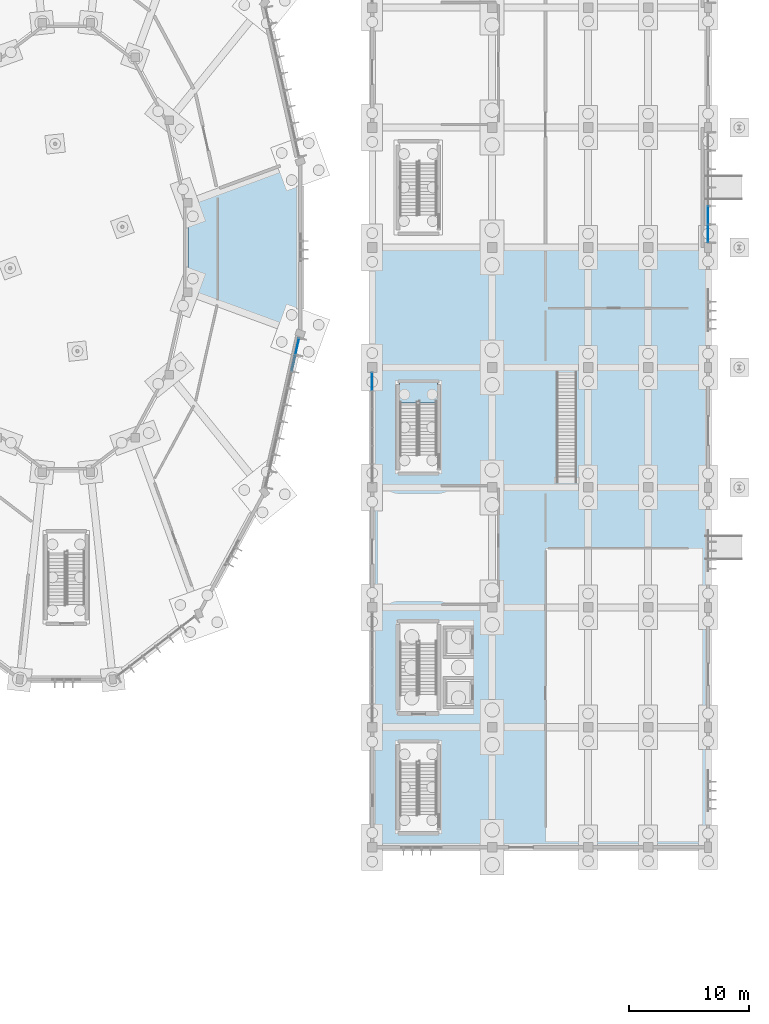
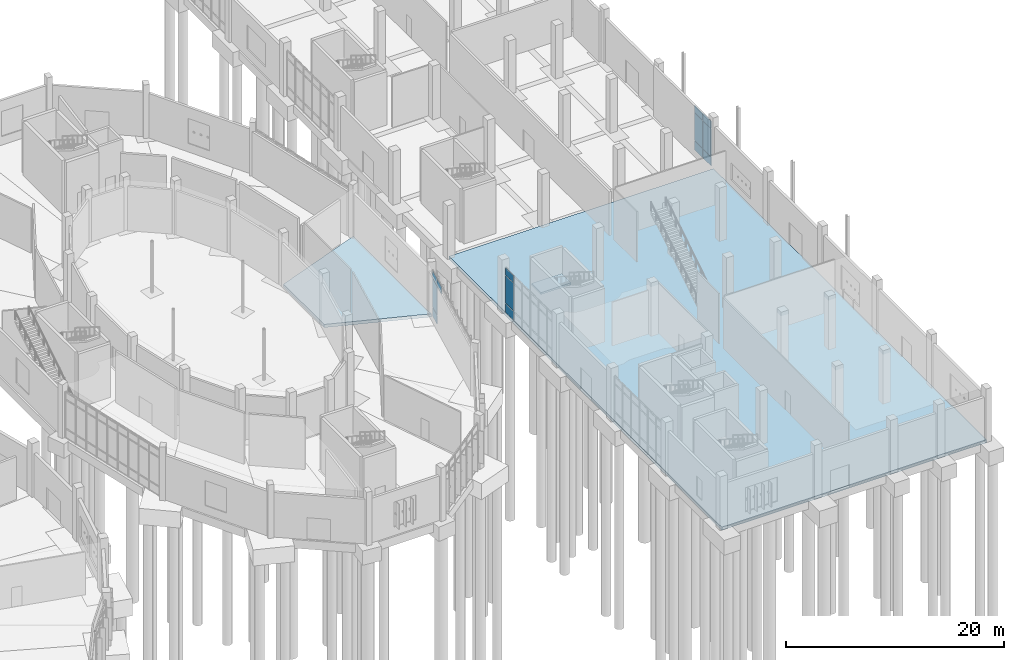
# One storey, part 66 of 140: 13 plates, 3 slabs, 4 elements without a shape of their own.
"""IFC4 building model written with IfcOpenShell, lengths in metres."""

from ifc_helpers import new_model, si_unit, direction, frame, origin, origin_2d, place, context, subcontext, project, spatial, polyline, rectangle, outline, extrude, material, layer, layer_set, type_object, element, aggregate, save


model = new_model("IFC4")

# Units and contexts
model_context = context("Model", 3, precision=1e-05, world=origin(), true_north=direction((0.0, 1.0)))
body_context = subcontext(model_context, "Body", "Model", "MODEL_VIEW")
ifc_project = project(units=[si_unit("LENGTHUNIT", "METRE"), si_unit("AREAUNIT", "SQUARE_METRE"), si_unit("VOLUMEUNIT", "CUBIC_METRE"), si_unit("PLANEANGLEUNIT", "RADIAN"), si_unit("MASSUNIT", "GRAM", prefix="KILO")], contexts=[model_context])

# Site, building, storey
site_placement = place(None, origin())
site = spatial("IfcSite", under=ifc_project, at=site_placement, CompositionType="ELEMENT")
building_placement = place(site_placement, origin())
building = spatial("IfcBuilding", under=site, at=building_placement, Name="Corvandel Quay Wholesale Market", CompositionType="ELEMENT")
storey_placement = place(building_placement, origin())
storey = spatial("IfcBuildingStorey", under=building, at=storey_placement, Name="L00", CompositionType="ELEMENT", Elevation=0.0)

# Curtain wall, plates
ifc_material_1 = material(Name="Bronze anodised aluminium and low-E insulated glazing", Category="aluminium")
ifc_layer_1 = layer(ifc_material_1, 0.162109375)
ifc_layer_set_1 = layer_set([ifc_layer_1], Name="Bronze anodised aluminium and low-E insulated glazing")
curtain_wall_type_1 = type_object("IfcCurtainWallType", Name="Stick Curtain Wall System CW16 H4440", PredefinedType="NOTDEFINED", material=ifc_layer_set_1)
curtain_wall_1_placement = place(storey_placement, origin())
curtain_wall_1 = element("IfcCurtainWall", 1, at=curtain_wall_1_placement, inside=storey, type_object=curtain_wall_type_1, Name="Curtain Wall CW-0141", PredefinedType="NOTDEFINED")
ifc_material_2 = material(Name="Solar-control low-E insulated glazing", Category="glass")
ifc_layer_2 = layer(ifc_material_2, 0.0400390625)
ifc_layer_set_2 = layer_set([ifc_layer_2], Name="Solar-control low-E insulated glazing")
plate_type_1 = type_object("IfcPlateType", Name="Ceramic Fritted Spandrel Panel PN03 40mm", PredefinedType="CURTAIN_PANEL", material=ifc_layer_set_2)
plate_1_placement = place(storey_placement, frame((213.44677734375, 50.37353515625, 4.33251953125), z_axis=(0.0, 0.0, 1.0), x_axis=(0.218994806262, 0.975726024471, 0.0)))
plate_1 = element("IfcPlate", 2, at=plate_1_placement, type_object=plate_type_1, Name="Glazing Panel CW-0141-P07-2", PredefinedType="CURTAIN_PANEL", context=body_context, shape_type="SweptSolid", body=[
    extrude(rectangle(XDim=1.352783203125, YDim=0.0400390625, at=origin_2d()), origin(), (0.0, 0.0, 1.0), 0.784912109375),
])
plate_2_placement = place(storey_placement, frame((213.757080078125, 51.757080078125, 4.33251953125), z_axis=(0.0, 0.0, 1.0), x_axis=(0.218994806262, 0.975726024471, 0.0)))
plate_2 = element("IfcPlate", 3, at=plate_2_placement, type_object=plate_type_1, Name="Glazing Panel CW-0141-P08-2", PredefinedType="CURTAIN_PANEL", context=body_context, shape_type="SweptSolid", body=[
    extrude(rectangle(XDim=1.352783203125, YDim=0.0400390625, at=origin_2d()), origin(), (0.0, 0.0, 1.0), 0.784912109375),
])

# Curtain wall, plate
ifc_layer_3 = layer(ifc_material_1, 0.174072265625)
ifc_layer_set_3 = layer_set([ifc_layer_3], Name="Bronze anodised aluminium and low-E insulated glazing")
curtain_wall_type_2 = type_object("IfcCurtainWallType", Name="Stick Curtain Wall System CW22 H4980", PredefinedType="NOTDEFINED", material=ifc_layer_set_3)
curtain_wall_2_placement = place(storey_placement, origin())
curtain_wall_2 = element("IfcCurtainWall", 4, at=curtain_wall_2_placement, inside=storey, type_object=curtain_wall_type_2, Name="Curtain Wall CW-0143", PredefinedType="NOTDEFINED")
plate_3_placement = place(storey_placement, frame((220.0, 48.833251953125, 4.22998046875), z_axis=(0.0, 0.0, 1.0), x_axis=(0.0, 1.0, 0.0)))
plate_3 = element("IfcPlate", 5, at=plate_3_placement, type_object=plate_type_1, Name="Glazing Panel CW-0143-P05-2", PredefinedType="CURTAIN_PANEL", context=body_context, shape_type="SweptSolid", body=[
    extrude(rectangle(XDim=1.46826171875, YDim=0.0400390625, at=origin_2d()), origin(), (0.0, 0.0, 1.0), 0.7900390625),
])

# Curtain wall, plates
ifc_layer_4 = layer(ifc_material_1, 0.18603515625)
ifc_layer_set_4 = layer_set([ifc_layer_4], Name="Bronze anodised aluminium and low-E insulated glazing")
curtain_wall_type_3 = type_object("IfcCurtainWallType", Name="Stick Curtain Wall System CW18 H4620", PredefinedType="NOTDEFINED", material=ifc_layer_set_4)
curtain_wall_3_placement = place(storey_placement, origin())
curtain_wall_3 = element("IfcCurtainWall", 6, at=curtain_wall_3_placement, inside=storey, type_object=curtain_wall_type_3, Name="Curtain Wall CW-0144", PredefinedType="NOTDEFINED")
plate_4_placement = place(storey_placement, frame((248.0, 61.166748046875, 4.22998046875), z_axis=(0.0, 0.0, 1.0), x_axis=(0.0, 1.0, 0.0)))
plate_4 = element("IfcPlate", 7, at=plate_4_placement, type_object=plate_type_1, Name="Glazing Panel CW-0144-P00-2", PredefinedType="CURTAIN_PANEL", context=body_context, shape_type="SweptSolid", body=[
    extrude(rectangle(XDim=1.46826171875, YDim=0.0400390625, at=origin_2d()), origin(), (0.0, 0.0, 1.0), 0.7900390625),
])
plate_5_placement = place(storey_placement, frame((248.0, 62.699951171875, 4.22998046875), z_axis=(0.0, 0.0, 1.0), x_axis=(0.0, 1.0, 0.0)))
plate_5 = element("IfcPlate", 8, at=plate_5_placement, type_object=plate_type_1, Name="Glazing Panel CW-0144-P01-2", PredefinedType="CURTAIN_PANEL", context=body_context, shape_type="SweptSolid", body=[
    extrude(rectangle(XDim=1.46826171875, YDim=0.0400390625, at=origin_2d()), origin(), (0.0, 0.0, 1.0), 0.7900390625),
])

# Plate
ifc_layer_5 = layer(ifc_material_2, 0.028076171875)
ifc_layer_set_5 = layer_set([ifc_layer_5], Name="Solar-control low-E insulated glazing")
plate_type_2 = type_object("IfcPlateType", Name="Double Low-E Vision Panel PN01 28mm", PredefinedType="CURTAIN_PANEL", material=ifc_layer_set_5)
plate_6_placement = place(storey_placement, frame((213.757080078125, 51.757080078125, 0.0322265625), z_axis=(0.0, 0.0, 1.0), x_axis=(0.218994806262, 0.975726024471, 0.0)))
plate_6 = element("IfcPlate", 9, at=plate_6_placement, type_object=plate_type_2, Name="Glazing Panel CW-0141-P08-0", PredefinedType="CURTAIN_PANEL", context=body_context, shape_type="SweptSolid", body=[
    extrude(rectangle(XDim=1.352783203125, YDim=0.028076171875, at=origin_2d()), origin(), (0.0, 0.0, 1.0), 0.985107421875),
])

plate_7_placement = place(storey_placement, frame((213.757080078125, 51.757080078125, 1.08251953125), z_axis=(0.0, 0.0, 1.0), x_axis=(0.218994806262, 0.975726024471, 0.0)))
plate_7 = element("IfcPlate", 10, at=plate_7_placement, type_object=plate_type_2, Name="Glazing Panel CW-0141-P08-1", PredefinedType="CURTAIN_PANEL", context=body_context, shape_type="SweptSolid", body=[
    extrude(rectangle(XDim=1.352783203125, YDim=0.028076171875, at=origin_2d()), origin(), (0.0, 0.0, 1.0), 3.18505859375),
])

aggregate(curtain_wall_1, [plate_1, plate_6, plate_7, plate_2])

plate_8_placement = place(storey_placement, frame((220.0, 48.833251953125, 0.02978515625), z_axis=(0.0, 0.0, 1.0), x_axis=(0.0, 1.0, 0.0)))
plate_8 = element("IfcPlate", 11, at=plate_8_placement, type_object=plate_type_2, Name="Glazing Panel CW-0143-P05-0", PredefinedType="CURTAIN_PANEL", context=body_context, shape_type="SweptSolid", body=[
    extrude(rectangle(XDim=1.46826171875, YDim=0.028076171875, at=origin_2d()), origin(), (0.0, 0.0, 1.0), 0.989990234375),
])

plate_9_placement = place(storey_placement, frame((220.0, 48.833251953125, 1.080078125), z_axis=(0.0, 0.0, 1.0), x_axis=(0.0, 1.0, 0.0)))
plate_9 = element("IfcPlate", 12, at=plate_9_placement, type_object=plate_type_2, Name="Glazing Panel CW-0143-P05-1", PredefinedType="CURTAIN_PANEL", context=body_context, shape_type="SweptSolid", body=[
    extrude(rectangle(XDim=1.46826171875, YDim=0.028076171875, at=origin_2d()), origin(), (0.0, 0.0, 1.0), 3.090087890625),
])

aggregate(curtain_wall_2, [plate_8, plate_9, plate_3])

plate_10_placement = place(storey_placement, frame((248.0, 61.166748046875, 0.02978515625), z_axis=(0.0, 0.0, 1.0), x_axis=(0.0, 1.0, 0.0)))
plate_10 = element("IfcPlate", 13, at=plate_10_placement, type_object=plate_type_2, Name="Glazing Panel CW-0144-P00-0", PredefinedType="CURTAIN_PANEL", context=body_context, shape_type="SweptSolid", body=[
    extrude(rectangle(XDim=1.46826171875, YDim=0.028076171875, at=origin_2d()), origin(), (0.0, 0.0, 1.0), 0.989990234375),
])

plate_11_placement = place(storey_placement, frame((248.0, 61.166748046875, 1.080078125), z_axis=(0.0, 0.0, 1.0), x_axis=(0.0, 1.0, 0.0)))
plate_11 = element("IfcPlate", 14, at=plate_11_placement, type_object=plate_type_2, Name="Glazing Panel CW-0144-P00-1", PredefinedType="CURTAIN_PANEL", context=body_context, shape_type="SweptSolid", body=[
    extrude(rectangle(XDim=1.46826171875, YDim=0.028076171875, at=origin_2d()), origin(), (0.0, 0.0, 1.0), 3.090087890625),
])

plate_12_placement = place(storey_placement, frame((248.0, 62.699951171875, 0.02978515625), z_axis=(0.0, 0.0, 1.0), x_axis=(0.0, 1.0, 0.0)))
plate_12 = element("IfcPlate", 15, at=plate_12_placement, type_object=plate_type_2, Name="Glazing Panel CW-0144-P01-0", PredefinedType="CURTAIN_PANEL", context=body_context, shape_type="SweptSolid", body=[
    extrude(rectangle(XDim=1.46826171875, YDim=0.028076171875, at=origin_2d()), origin(), (0.0, 0.0, 1.0), 0.989990234375),
])

plate_13_placement = place(storey_placement, frame((248.0, 62.699951171875, 1.080078125), z_axis=(0.0, 0.0, 1.0), x_axis=(0.0, 1.0, 0.0)))
plate_13 = element("IfcPlate", 16, at=plate_13_placement, type_object=plate_type_2, Name="Glazing Panel CW-0144-P01-1", PredefinedType="CURTAIN_PANEL", context=body_context, shape_type="SweptSolid", body=[
    extrude(rectangle(XDim=1.46826171875, YDim=0.028076171875, at=origin_2d()), origin(), (0.0, 0.0, 1.0), 3.090087890625),
])

aggregate(curtain_wall_3, [plate_10, plate_11, plate_4, plate_12, plate_13, plate_5])

# Slabs
ifc_material_3 = material(Name="Concrete C40/50", Category="concrete")
ifc_layer_6 = layer(ifc_material_3, 0.35009765625)
ifc_layer_set_6 = layer_set([ifc_layer_6], Name="Concrete C40/50")
slab_type_1 = type_object("IfcSlabType", Name="Ground Bearing Base Slab 350", PredefinedType="BASESLAB", material=ifc_layer_set_6)
slab_1_placement = place(storey_placement, frame((0.0, 0.0, -0.35009765625)))
element("IfcSlab", 17, at=slab_1_placement, inside=storey, type_object=slab_type_1, Name="Slab SLB-0443", PredefinedType="BASESLAB", context=body_context, shape_type="SweptSolid", body=[
    extrude(outline(polyline([(214.0, 52.839111328125), (214.0, 67.160888671875), (204.639892578125, 63.72412109375), (204.639892578125, 56.27587890625), (214.0, 52.839111328125)])), origin(), (0.0, 0.0, 1.0), 0.35009765625),
])
slab_2_placement = place(storey_placement, frame((0.0, 0.0, -0.35009765625)))
element("IfcSlab", 18, at=slab_2_placement, inside=storey, type_object=slab_type_1, Name="Slab SLB-0461", PredefinedType="BASESLAB", context=body_context, shape_type="SweptSolid", body=[
    extrude(outline(polyline([(220.0, 10.0), (248.0, 10.0), (248.0, 60.0), (220.0, 60.0), (220.0, 10.0)])), origin(), (0.0, 0.0, 1.0), 0.35009765625),
])

# Stair, slab
stair_type = type_object("IfcStairType", Name="Exit Stair Two-Return L00-L01 ST01", PredefinedType="USERDEFINED", material=ifc_material_3)
stair_placement = place(storey_placement, origin())
stair = element("IfcStair", 19, at=stair_placement, inside=storey, type_object=stair_type, Name="Exit Stair STR-029", ObjectType="TWO_RETURN_STAIR", PredefinedType="USERDEFINED")
ifc_layer_7 = layer(ifc_material_3, 0.219970703125)
ifc_layer_set_7 = layer_set([ifc_layer_7], Name="Concrete C40/50")
slab_type_2 = type_object("IfcSlabType", Name="Precast Stair Landing LND01 220", PredefinedType="LANDING", material=ifc_layer_set_7)
slab_3_placement = place(storey_placement, frame((0.0, 0.0, 2.780029296875)))
slab_3 = element("IfcSlab", 20, at=slab_3_placement, type_object=slab_type_2, Name="Stair Landing STR-029-LND", PredefinedType="LANDING", context=body_context, shape_type="SweptSolid", body=[
    extrude(outline(polyline([(222.260009765625, 47.030029296875), (225.43994140625, 47.030029296875), (225.43994140625, 48.739990234375), (222.260009765625, 48.739990234375), (222.260009765625, 47.030029296875)])), origin(), (0.0, 0.0, 1.0), 0.219970703125),
])
aggregate(stair, [slab_3])

save(model, "model.ifc")
